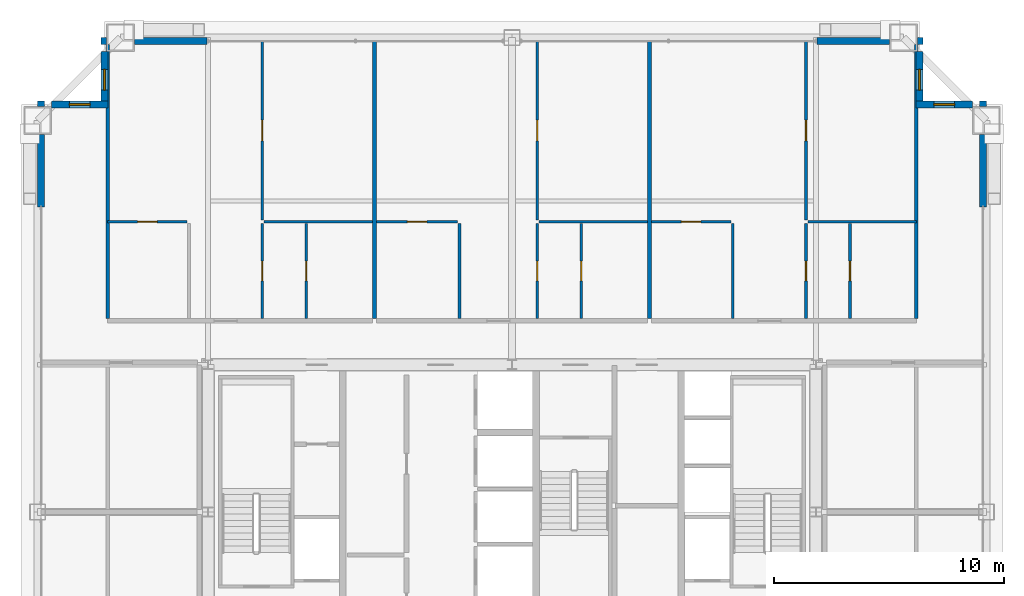
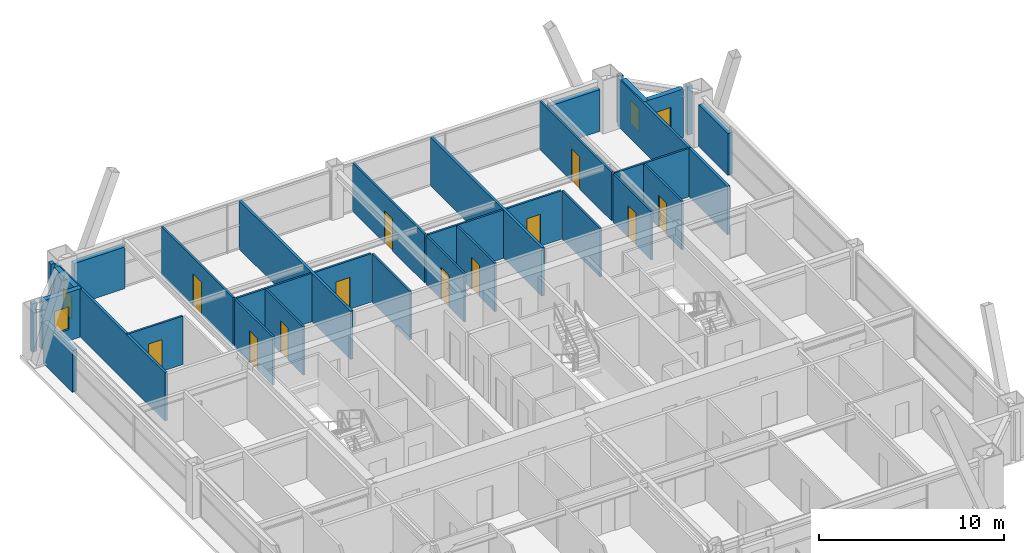
# One storey, part 34 of 36: 33 walls, 12 doors, 4 windows, 16 openings.
"""IFC4 building model written with IfcOpenShell, lengths in metres."""

import ifcopenshell
import ifcopenshell.guid

model = None  # the IFC model being written
_history = None  # IfcOwnerHistory: only IFC2X3 demands one
_inside = {}  # id of a spatial element -> (the spatial element, [elements in it])
_under = {}  # id of a project, library or spatial element -> (it, [spatial elements below it])
_declared = {}  # id of a project -> (the project, [libraries it declares])
_typed = {}  # id of a type object -> (the type object, [elements of that type])
_made_of = {}  # id of a material, layer set ... -> (it, [elements and type objects made of it])


def new_model(schema):
    """Start an empty IFC model of exactly this schema.

    Asked for "IFC4X3", IfcOpenShell would pick the latest addendum, in which some entities
    have other attributes; the version numbers below select the first issue.
    IFC2X3 requires an IfcOwnerHistory on every rooted entity: one is made here for all.
    """
    global model, _history
    if schema == "IFC4X3":
        model = ifcopenshell.file(schema_version=(4, 3, 0, 0))
    else:
        model = ifcopenshell.file(schema=schema)
    _inside.clear()
    _under.clear()
    _declared.clear()
    _typed.clear()
    _made_of.clear()
    _history = None
    if model.schema == "IFC2X3":
        org = make("IfcOrganization", Name="unknown")
        user = make(
            "IfcPersonAndOrganization",
            ThePerson=make("IfcPerson", FamilyName="unknown"),
            TheOrganization=org,
        )
        app = make(
            "IfcApplication",
            ApplicationDeveloper=org,
            Version="unknown",
            ApplicationFullName="unknown",
            ApplicationIdentifier="unknown",
        )
        _history = make(
            "IfcOwnerHistory",
            OwningUser=user,
            OwningApplication=app,
            ChangeAction="ADDED",
            CreationDate=0,
        )
    return model


def make(cls, **values):
    """One entity of the class cls with the attributes given. An attribute that is None is left unset."""
    return model.create_entity(
        cls, **{name: value for name, value in values.items() if value is not None}
    )


def rooted(cls, **values):
    """An entity with a GlobalId (a new one), such as an element, a storey or a relation."""
    return make(cls, GlobalId=ifcopenshell.guid.new(), OwnerHistory=_history, **values)


def si_unit(unit_type, name, prefix=None):
    """IfcSIUnit, for example si_unit("LENGTHUNIT", "METRE", prefix="MILLI")."""
    return make("IfcSIUnit", UnitType=unit_type, Prefix=prefix, Name=name)


def assignment(units):
    """IfcUnitAssignment: the units of a project."""
    return None if units is None else make("IfcUnitAssignment", Units=units)


def point(xyz):
    """IfcCartesianPoint."""
    return None if xyz is None else make("IfcCartesianPoint", Coordinates=xyz)


def direction(xyz):
    """IfcDirection."""
    return None if xyz is None else make("IfcDirection", DirectionRatios=xyz)


def frame(location, z_axis=None, x_axis=None):
    """IfcAxis2Placement3D, a coordinate frame: its origin and axes. An axis left out is left unset."""
    return make(
        "IfcAxis2Placement3D",
        Location=point(location),
        Axis=direction(z_axis),
        RefDirection=direction(x_axis),
    )


def frame_2d(location, x_axis=None):
    """IfcAxis2Placement2D, a coordinate frame in the plane: its origin and x axis."""
    return make(
        "IfcAxis2Placement2D", Location=point(location), RefDirection=direction(x_axis)
    )


def origin():
    """The frame at (0, 0, 0) with its axes left unset."""
    return frame((0.0, 0.0, 0.0))


def place(relative_to, where):
    """IfcLocalPlacement: puts the frame where relative to a parent placement (None: the world)."""
    return make(
        "IfcLocalPlacement", PlacementRelTo=relative_to, RelativePlacement=where
    )


def context(
    kind, dimensions, precision=None, world=None, true_north=None, identifier=None
):
    """IfcGeometricRepresentationContext, for example the 3D "Model" context."""
    return make(
        "IfcGeometricRepresentationContext",
        ContextIdentifier=identifier,
        ContextType=kind,
        CoordinateSpaceDimension=dimensions,
        Precision=precision,
        WorldCoordinateSystem=world,
        TrueNorth=true_north,
    )


def subcontext(parent, identifier, kind, view, scale=None):
    """IfcGeometricRepresentationSubContext, for example "Body" below "Model"."""
    return make(
        "IfcGeometricRepresentationSubContext",
        ContextIdentifier=identifier,
        ContextType=kind,
        ParentContext=parent,
        TargetScale=scale,
        TargetView=view,
    )


def project(units=None, contexts=None):
    """IfcProject with its units and contexts."""
    return rooted(
        "IfcProject",
        Name="project",
        RepresentationContexts=contexts,
        UnitsInContext=assignment(units),
    )


def spatial(cls, under=None, at=None, **own):
    """A site, building, storey or space (cls), placed at a placement, below another one or the project."""
    s = rooted(cls, ObjectPlacement=at, **own)
    if under is not None:
        _under.setdefault(under.id(), (under, []))[1].append(s)
    return s


def profile(cls, at=None, kind="AREA", **sizes):
    """A parametric profile (cls). Its sizes go by their IFC names, for example OverallWidth=200.0."""
    return make(cls, ProfileType=kind, Position=at, **sizes)


def rectangle(**sizes):
    """IfcRectangleProfileDef."""
    return profile("IfcRectangleProfileDef", **sizes)


def extrude(swept, where, along, depth):
    """IfcExtrudedAreaSolid: the profile swept, set in the frame where, extruded along a direction by depth."""
    return make(
        "IfcExtrudedAreaSolid",
        SweptArea=swept,
        Position=where,
        ExtrudedDirection=direction(along),
        Depth=depth,
    )


def shape(context_of_items, identifier, shape_type, items):
    """IfcShapeRepresentation: the items that make up one representation, for example the "Body"."""
    return make(
        "IfcShapeRepresentation",
        ContextOfItems=context_of_items,
        RepresentationIdentifier=identifier,
        RepresentationType=shape_type,
        Items=items,
    )


def source(mapping_origin, context_of_items, identifier, shape_type, items):
    """IfcRepresentationMap: a shape defined once, which mapped items show again and again."""
    return make(
        "IfcRepresentationMap",
        MappingOrigin=mapping_origin,
        MappedRepresentation=shape(context_of_items, identifier, shape_type, items),
    )


def transform(
    local_origin,
    x_axis=None,
    y_axis=None,
    z_axis=None,
    scale=None,
    scale2=None,
    scale3=None,
    uniform=True,
):
    """IfcCartesianTransformationOperator3D, or its non-uniform kind. x_axis, y_axis, z_axis: its Axis1, 2, 3."""
    if uniform:
        return make(
            "IfcCartesianTransformationOperator3D",
            Axis1=direction(x_axis),
            Axis2=direction(y_axis),
            LocalOrigin=point(local_origin),
            Scale=scale,
            Axis3=direction(z_axis),
        )
    return make(
        "IfcCartesianTransformationOperator3DnonUniform",
        Axis1=direction(x_axis),
        Axis2=direction(y_axis),
        LocalOrigin=point(local_origin),
        Scale=scale,
        Axis3=direction(z_axis),
        Scale2=scale2,
        Scale3=scale3,
    )


def mapped(mapping_source, mapping_target):
    """IfcMappedItem: shows the shape of a source again, moved by a transform."""
    return make(
        "IfcMappedItem", MappingSource=mapping_source, MappingTarget=mapping_target
    )


def material(Name=None, Category=None):
    """IfcMaterial."""
    return make("IfcMaterial", Name=Name, Category=Category)


def layer(
    of_material, thickness, ventilated=None, Name=None, Category=None, Priority=None
):
    """IfcMaterialLayer: one layer of a wall or slab, of a material (None: an air gap)."""
    return make(
        "IfcMaterialLayer",
        Material=of_material,
        LayerThickness=thickness,
        IsVentilated=ventilated,
        Name=Name,
        Category=Category,
        Priority=Priority,
    )


def layer_set(layers, Name=None):
    """IfcMaterialLayerSet."""
    return make("IfcMaterialLayerSet", MaterialLayers=layers, LayerSetName=Name)


def made_of(thing, what):
    """Note that an element or type object is made of a material, layer set ...; save() writes the relation."""
    if what is not None:
        _made_of.setdefault(what.id(), (what, []))[1].append(thing)
    return thing


def type_object(cls, material=None, **own):
    """A type object (cls), such as IfcWallType, which elements share."""
    return made_of(rooted(cls, **own), material)


def element(
    cls,
    number,
    at=None,
    inside=None,
    cuts=None,
    type_object=None,
    material=None,
    context=None,
    identifier="Body",
    shape_type=None,
    held_by="IfcProductDefinitionShape",
    body=None,
    shapes=None,
    **own,
):
    """One element of the class cls, such as IfcWall. Its Tag is "e" and its number.

    at: its placement. inside: the storey or other place that contains it. cuts: it is an
    opening in that element (IfcRelVoidsElement). A single representation is given by context,
    identifier, shape_type and body (its items); several are given by shapes. held_by: the class
    of the entity that holds the representations. save() writes the other relations.
    """
    e = rooted(cls, Tag="e%d" % number, ObjectPlacement=at, **own)
    if body is not None:
        shapes = [shape(context, identifier, shape_type, body)]
    if shapes is not None:
        e.Representation = make(held_by, Representations=shapes)
    if inside is not None:
        _inside.setdefault(inside.id(), (inside, []))[1].append(e)
    if cuts is not None:
        rooted(
            "IfcRelVoidsElement", RelatingBuildingElement=cuts, RelatedOpeningElement=e
        )
    if type_object is not None:
        _typed.setdefault(type_object.id(), (type_object, []))[1].append(e)
    return made_of(e, material)


def fill(opening, filler):
    """IfcRelFillsElement: the door or window that sits in an opening."""
    return rooted(
        "IfcRelFillsElement",
        RelatingOpeningElement=opening,
        RelatedBuildingElement=filler,
    )


def aggregate(whole, parts):
    """IfcRelAggregates: a whole, such as a stair, and the parts it consists of."""
    return rooted("IfcRelAggregates", RelatingObject=whole, RelatedObjects=parts)


def save(model, path):
    """Write the relations noted so far, then the file.

    IfcRelAggregates (storeys below a building ...), IfcRelContainedInSpatialStructure (elements
    in a storey), IfcRelDefinesByType, IfcRelAssociatesMaterial and IfcRelDeclares: one each for
    every whole, place, type object, material and project.
    """
    for whole, parts in _under.values():
        aggregate(whole, parts)
    for where, things in _inside.values():
        rooted(
            "IfcRelContainedInSpatialStructure",
            RelatedElements=things,
            RelatingStructure=where,
        )
    for kind, things in _typed.values():
        rooted("IfcRelDefinesByType", RelatedObjects=things, RelatingType=kind)
    for what, things in _made_of.values():
        rooted("IfcRelAssociatesMaterial", RelatedObjects=things, RelatingMaterial=what)
    for by, libraries in _declared.values():
        rooted("IfcRelDeclares", RelatingContext=by, RelatedDefinitions=libraries)
    model.write(path)


model = new_model("IFC4")

# Units and contexts
model_context = context("Model", 3, precision=1e-05, world=origin(), true_north=direction((0.0, 1.0)))
body_context = subcontext(model_context, "Body", "Model", "MODEL_VIEW")
ifc_project = project(units=[si_unit("LENGTHUNIT", "METRE"), si_unit("AREAUNIT", "SQUARE_METRE"), si_unit("VOLUMEUNIT", "CUBIC_METRE"), si_unit("PLANEANGLEUNIT", "RADIAN"), si_unit("MASSUNIT", "GRAM", prefix="KILO"), si_unit("THERMODYNAMICTEMPERATUREUNIT", "KELVIN"), si_unit("POWERUNIT", "WATT")], contexts=[model_context])

# Site, building, storey
site_placement = place(None, origin())
site = spatial("IfcSite", under=ifc_project, at=site_placement, CompositionType="ELEMENT")
building_placement = place(site_placement, origin())
building = spatial("IfcBuilding", under=site, at=building_placement, Name="Yuzanri Waterfront Tower", CompositionType="ELEMENT")
storey_placement = place(building_placement, frame((0.0, 0.0, 255.60009765625)))
storey = spatial("IfcBuildingStorey", under=building, at=storey_placement, Name="L68", CompositionType="ELEMENT", Elevation=255.60009765625)

# Wall, opening, door
ifc_material_1 = material(Name="Moisture-Resistant Gypsum Stud Wall", Category="gypsum")
ifc_layer_1 = layer(ifc_material_1, 0.1201171875)
ifc_layer_set_1 = layer_set([ifc_layer_1], Name="Moisture-Resistant Gypsum Stud Wall")
wall_type_1 = type_object("IfcWallType", Name="Bathroom and Kitchen Wet Partition 120", PredefinedType="PARTITIONING", material=ifc_layer_set_1)
wall_1_placement = place(storey_placement, frame((19.43994140625, 38.39990234375, 0.0), z_axis=(0.0, 0.0, 1.0), x_axis=(1.0, 0.0, 0.0)))
wall_1 = element("IfcWall", 1, at=wall_1_placement, inside=storey, type_object=wall_type_1, Name="L68 Partition UW-L68-RN1-SUB-1-N", PredefinedType="PARTITIONING", context=body_context, shape_type="SweptSolid", body=[
    extrude(rectangle(XDim=3.453125, YDim=0.1201171875, at=frame_2d((1.7265625, 0.0))), origin(), (0.0, 0.0, 1.0), 3.199951171875),
])
opening_1_placement = place(wall_1_placement, frame((1.301513671875, 0.0, 0.0)))
opening_1 = element("IfcOpeningElement", 2, at=opening_1_placement, cuts=wall_1, Name="Opening ID-0850", PredefinedType="OPENING", context=body_context, shape_type="SweptSolid", body=[
    extrude(rectangle(XDim=0.85009765625, YDim=2.10009765625, at=frame_2d((0.425048828125, 1.050048828125))), frame((0.0, 0.074951171875, 0.0), z_axis=(0.0, -1.0, 0.0), x_axis=(1.0, 0.0, 0.0)), (0.0, 0.0, 1.0), 0.14990234375),
])
ifc_material_2 = material(Name="Moisture-Resistant Lacquered Timber", Category="wood")
door_type_1 = type_object("IfcDoorType", Name="En-Suite Bathroom and Kitchen Swing Door 850x2100", OperationType="NOTDEFINED", PredefinedType="DOOR", material=ifc_material_2)
shared_shape_1 = source(origin(), body_context, "Body", "SweptSolid", [
    extrude(rectangle(XDim=0.85009765625, YDim=2.10009765625, at=frame_2d((0.425048828125, 1.050048828125))), frame((0.0, 0.02490234375, 0.0), z_axis=(0.0, -1.0, 0.0), x_axis=(1.0, 0.0, 0.0)), (0.0, 0.0, 1.0), 0.050048828125),
])
door_1_placement = place(opening_1_placement, origin())
door_1 = element("IfcDoor", 3, at=door_1_placement, inside=storey, type_object=door_type_1, Name="L68 Suite Interior Room Door", OperationType="SINGLE_SWING_LEFT", OverallHeight=2.10009765625, OverallWidth=0.85009765625, PredefinedType="DOOR", context=body_context, shape_type="MappedRepresentation", body=[
    mapped(shared_shape_1, transform((0.0, 0.0, 0.0), scale=1.0)),
])
fill(opening_1, door_1)

wall_2_placement = place(storey_placement, frame((28.070068359375, 34.2099609375, 0.0), z_axis=(0.0, 0.0, 1.0), x_axis=(0.0, 1.0, 0.0)))
wall_2 = element("IfcWall", 4, at=wall_2_placement, inside=storey, type_object=wall_type_1, Name="L68 Partition UW-L68-RN1-SUB-2-W", PredefinedType="PARTITIONING", context=body_context, shape_type="SweptSolid", body=[
    extrude(rectangle(XDim=4.110107421875, YDim=0.1201171875, at=frame_2d((2.05517578125, 0.0))), origin(), (0.0, 0.0, 1.0), 3.199951171875),
])
opening_2_placement = place(wall_2_placement, frame((1.6298828125, 0.0, 0.0)))
opening_2 = element("IfcOpeningElement", 5, at=opening_2_placement, cuts=wall_2, Name="Opening ID-0850", PredefinedType="OPENING", context=body_context, shape_type="SweptSolid", body=[
    extrude(rectangle(XDim=0.85009765625, YDim=2.10009765625, at=frame_2d((0.425048828125, 1.050048828125))), frame((0.0, 0.074951171875, 0.0), z_axis=(0.0, -1.0, 0.0), x_axis=(1.0, 0.0, 0.0)), (0.0, 0.0, 1.0), 0.14990234375),
])
door_2_placement = place(opening_2_placement, origin())
door_2 = element("IfcDoor", 6, at=door_2_placement, inside=storey, type_object=door_type_1, Name="L68 Suite Interior Room Door", OperationType="SINGLE_SWING_RIGHT", OverallHeight=2.10009765625, OverallWidth=0.85009765625, PredefinedType="DOOR", context=body_context, shape_type="MappedRepresentation", body=[
    mapped(shared_shape_1, transform((0.0, 0.0, 0.0), scale=1.0)),
])
fill(opening_2, door_2)

wall_3_placement = place(storey_placement, frame((26.157958984375, 38.47998046875, 0.0), z_axis=(0.0, 0.0, 1.0), x_axis=(0.0, 1.0, 0.0)))
wall_3 = element("IfcWall", 7, at=wall_3_placement, inside=storey, type_object=wall_type_1, Name="L68 Partition UW-L68-RN1-SUB-3-W", PredefinedType="PARTITIONING", context=body_context, shape_type="SweptSolid", body=[
    extrude(rectangle(XDim=7.77001953125, YDim=0.1201171875, at=frame_2d((3.885009765625, 0.0))), origin(), (0.0, 0.0, 1.0), 3.199951171875),
])
opening_3_placement = place(wall_3_placement, frame((3.43505859375, 0.0, 0.0)))
opening_3 = element("IfcOpeningElement", 8, at=opening_3_placement, cuts=wall_3, Name="Opening ID-0900", PredefinedType="OPENING", context=body_context, shape_type="SweptSolid", body=[
    extrude(rectangle(XDim=0.89990234375, YDim=2.14990234375, at=frame_2d((0.449951171875, 1.074951171875))), frame((0.0, 0.074951171875, 0.0), z_axis=(0.0, -1.0, 0.0), x_axis=(1.0, 0.0, 0.0)), (0.0, 0.0, 1.0), 0.14990234375),
])
ifc_material_3 = material(Name="Stained Walnut Veneer Timber", Category="wood")
door_type_2 = type_object("IfcDoorType", Name="Bedroom and Study Interior Swing Door 900x2150", OperationType="NOTDEFINED", PredefinedType="DOOR", material=ifc_material_3)
shared_shape_2 = source(origin(), body_context, "Body", "SweptSolid", [
    extrude(rectangle(XDim=0.89990234375, YDim=2.14990234375, at=frame_2d((0.449951171875, 1.074951171875))), frame((0.0, 0.02490234375, 0.0), z_axis=(0.0, -1.0, 0.0), x_axis=(1.0, 0.0, 0.0)), (0.0, 0.0, 1.0), 0.050048828125),
])
door_3_placement = place(opening_3_placement, origin())
door_3 = element("IfcDoor", 9, at=door_3_placement, inside=storey, type_object=door_type_2, Name="L68 Suite Interior Room Door", OperationType="SINGLE_SWING_LEFT", OverallHeight=2.14990234375, OverallWidth=0.89990234375, PredefinedType="DOOR", context=body_context, shape_type="MappedRepresentation", body=[
    mapped(shared_shape_2, transform((0.0, 0.0, 0.0), scale=1.0)),
])
fill(opening_3, door_3)

wall_4_placement = place(storey_placement, frame((26.157958984375, 34.2099609375, 0.0), z_axis=(0.0, 0.0, 1.0), x_axis=(0.0, 1.0, 0.0)))
wall_4 = element("IfcWall", 10, at=wall_4_placement, inside=storey, type_object=wall_type_1, Name="L68 Partition UW-L68-RN1-SUB-4-W", PredefinedType="PARTITIONING", context=body_context, shape_type="SweptSolid", body=[
    extrude(rectangle(XDim=4.110107421875, YDim=0.1201171875, at=frame_2d((2.05517578125, 0.0))), origin(), (0.0, 0.0, 1.0), 3.199951171875),
])
opening_4_placement = place(wall_4_placement, frame((1.6298828125, 0.0, 0.0)))
opening_4 = element("IfcOpeningElement", 11, at=opening_4_placement, cuts=wall_4, Name="Opening ID-0850", PredefinedType="OPENING", context=body_context, shape_type="SweptSolid", body=[
    extrude(rectangle(XDim=0.85009765625, YDim=2.10009765625, at=frame_2d((0.425048828125, 1.050048828125))), frame((0.0, 0.074951171875, 0.0), z_axis=(0.0, -1.0, 0.0), x_axis=(1.0, 0.0, 0.0)), (0.0, 0.0, 1.0), 0.14990234375),
])
door_4_placement = place(opening_4_placement, origin())
door_4 = element("IfcDoor", 12, at=door_4_placement, inside=storey, type_object=door_type_1, Name="L68 Suite Interior Room Door", OperationType="SINGLE_SWING_RIGHT", OverallHeight=2.10009765625, OverallWidth=0.85009765625, PredefinedType="DOOR", context=body_context, shape_type="MappedRepresentation", body=[
    mapped(shared_shape_1, transform((0.0, 0.0, 0.0), scale=1.0)),
])
fill(opening_4, door_4)

wall_5_placement = place(storey_placement, frame((31.110107421875, 38.39990234375, 0.0), z_axis=(0.0, 0.0, 1.0), x_axis=(1.0, 0.0, 0.0)))
wall_5 = element("IfcWall", 13, at=wall_5_placement, inside=storey, type_object=wall_type_1, Name="L68 Partition UW-L68-RN2-SUB-1-N", PredefinedType="PARTITIONING", context=body_context, shape_type="SweptSolid", body=[
    extrude(rectangle(XDim=3.533935546875, YDim=0.1201171875, at=frame_2d((1.76708984375, 0.0))), origin(), (0.0, 0.0, 1.0), 3.199951171875),
])
opening_5_placement = place(wall_5_placement, frame((1.342041015625, 0.0, 0.0)))
opening_5 = element("IfcOpeningElement", 14, at=opening_5_placement, cuts=wall_5, Name="Opening ID-0850", PredefinedType="OPENING", context=body_context, shape_type="SweptSolid", body=[
    extrude(rectangle(XDim=0.85009765625, YDim=2.10009765625, at=frame_2d((0.425048828125, 1.050048828125))), frame((0.0, 0.074951171875, 0.0), z_axis=(0.0, -1.0, 0.0), x_axis=(1.0, 0.0, 0.0)), (0.0, 0.0, 1.0), 0.14990234375),
])
door_5_placement = place(opening_5_placement, origin())
door_5 = element("IfcDoor", 15, at=door_5_placement, inside=storey, type_object=door_type_1, Name="L68 Suite Interior Room Door", OperationType="SINGLE_SWING_RIGHT", OverallHeight=2.10009765625, OverallWidth=0.85009765625, PredefinedType="DOOR", context=body_context, shape_type="MappedRepresentation", body=[
    mapped(shared_shape_1, transform((0.0, 0.0, 0.0), scale=1.0)),
])
fill(opening_5, door_5)

wall_6_placement = place(storey_placement, frame((40.010009765625, 34.2099609375, 0.0), z_axis=(0.0, 0.0, 1.0), x_axis=(0.0, 1.0, 0.0)))
wall_6 = element("IfcWall", 16, at=wall_6_placement, inside=storey, type_object=wall_type_1, Name="L68 Partition UW-L68-RN2-SUB-2-W", PredefinedType="PARTITIONING", context=body_context, shape_type="SweptSolid", body=[
    extrude(rectangle(XDim=4.110107421875, YDim=0.1201171875, at=frame_2d((2.05517578125, 0.0))), origin(), (0.0, 0.0, 1.0), 3.199951171875),
])
opening_6_placement = place(wall_6_placement, frame((1.6298828125, 0.0, 0.0)))
opening_6 = element("IfcOpeningElement", 17, at=opening_6_placement, cuts=wall_6, Name="Opening ID-0850", PredefinedType="OPENING", context=body_context, shape_type="SweptSolid", body=[
    extrude(rectangle(XDim=0.85009765625, YDim=2.10009765625, at=frame_2d((0.425048828125, 1.050048828125))), frame((0.0, 0.074951171875, 0.0), z_axis=(0.0, -1.0, 0.0), x_axis=(1.0, 0.0, 0.0)), (0.0, 0.0, 1.0), 0.14990234375),
])
door_6_placement = place(opening_6_placement, origin())
door_6 = element("IfcDoor", 18, at=door_6_placement, inside=storey, type_object=door_type_1, Name="L68 Suite Interior Room Door", OperationType="SINGLE_SWING_LEFT", OverallHeight=2.10009765625, OverallWidth=0.85009765625, PredefinedType="DOOR", context=body_context, shape_type="MappedRepresentation", body=[
    mapped(shared_shape_1, transform((0.0, 0.0, 0.0), scale=1.0)),
])
fill(opening_6, door_6)

wall_7_placement = place(storey_placement, frame((38.097900390625, 38.47998046875, 0.0), z_axis=(0.0, 0.0, 1.0), x_axis=(0.0, 1.0, 0.0)))
wall_7 = element("IfcWall", 19, at=wall_7_placement, inside=storey, type_object=wall_type_1, Name="L68 Partition UW-L68-RN2-SUB-3-W", PredefinedType="PARTITIONING", context=body_context, shape_type="SweptSolid", body=[
    extrude(rectangle(XDim=7.77001953125, YDim=0.1201171875, at=frame_2d((3.885009765625, 0.0))), origin(), (0.0, 0.0, 1.0), 3.199951171875),
])
opening_7_placement = place(wall_7_placement, frame((3.43505859375, 0.0, 0.0)))
opening_7 = element("IfcOpeningElement", 20, at=opening_7_placement, cuts=wall_7, Name="Opening ID-0900", PredefinedType="OPENING", context=body_context, shape_type="SweptSolid", body=[
    extrude(rectangle(XDim=0.89990234375, YDim=2.14990234375, at=frame_2d((0.449951171875, 1.074951171875))), frame((0.0, 0.074951171875, 0.0), z_axis=(0.0, -1.0, 0.0), x_axis=(1.0, 0.0, 0.0)), (0.0, 0.0, 1.0), 0.14990234375),
])
door_7_placement = place(opening_7_placement, origin())
door_7 = element("IfcDoor", 21, at=door_7_placement, inside=storey, type_object=door_type_2, Name="L68 Suite Interior Room Door", OperationType="SINGLE_SWING_RIGHT", OverallHeight=2.14990234375, OverallWidth=0.89990234375, PredefinedType="DOOR", context=body_context, shape_type="MappedRepresentation", body=[
    mapped(shared_shape_2, transform((0.0, 0.0, 0.0), scale=1.0)),
])
fill(opening_7, door_7)

wall_8_placement = place(storey_placement, frame((38.097900390625, 34.2099609375, 0.0), z_axis=(0.0, 0.0, 1.0), x_axis=(0.0, 1.0, 0.0)))
wall_8 = element("IfcWall", 22, at=wall_8_placement, inside=storey, type_object=wall_type_1, Name="L68 Partition UW-L68-RN2-SUB-4-W", PredefinedType="PARTITIONING", context=body_context, shape_type="SweptSolid", body=[
    extrude(rectangle(XDim=4.110107421875, YDim=0.1201171875, at=frame_2d((2.05517578125, 0.0))), origin(), (0.0, 0.0, 1.0), 3.199951171875),
])
opening_8_placement = place(wall_8_placement, frame((1.6298828125, 0.0, 0.0)))
opening_8 = element("IfcOpeningElement", 23, at=opening_8_placement, cuts=wall_8, Name="Opening ID-0850", PredefinedType="OPENING", context=body_context, shape_type="SweptSolid", body=[
    extrude(rectangle(XDim=0.85009765625, YDim=2.10009765625, at=frame_2d((0.425048828125, 1.050048828125))), frame((0.0, 0.074951171875, 0.0), z_axis=(0.0, -1.0, 0.0), x_axis=(1.0, 0.0, 0.0)), (0.0, 0.0, 1.0), 0.14990234375),
])
door_8_placement = place(opening_8_placement, origin())
door_8 = element("IfcDoor", 24, at=door_8_placement, inside=storey, type_object=door_type_1, Name="L68 Suite Interior Room Door", OperationType="SINGLE_SWING_LEFT", OverallHeight=2.10009765625, OverallWidth=0.85009765625, PredefinedType="DOOR", context=body_context, shape_type="MappedRepresentation", body=[
    mapped(shared_shape_1, transform((0.0, 0.0, 0.0), scale=1.0)),
])
fill(opening_8, door_8)

wall_9_placement = place(storey_placement, frame((43.050048828125, 38.39990234375, 0.0), z_axis=(0.0, 0.0, 1.0), x_axis=(1.0, 0.0, 0.0)))
wall_9 = element("IfcWall", 25, at=wall_9_placement, inside=storey, type_object=wall_type_1, Name="L68 Partition UW-L68-RN3-SUB-1-N", PredefinedType="PARTITIONING", context=body_context, shape_type="SweptSolid", body=[
    extrude(rectangle(XDim=3.452880859375, YDim=0.1201171875, at=frame_2d((1.7265625, 0.0))), origin(), (0.0, 0.0, 1.0), 3.199951171875),
])
opening_9_placement = place(wall_9_placement, frame((1.301513671875, 0.0, 0.0)))
opening_9 = element("IfcOpeningElement", 26, at=opening_9_placement, cuts=wall_9, Name="Opening ID-0850", PredefinedType="OPENING", context=body_context, shape_type="SweptSolid", body=[
    extrude(rectangle(XDim=0.85009765625, YDim=2.10009765625, at=frame_2d((0.425048828125, 1.050048828125))), frame((0.0, 0.074951171875, 0.0), z_axis=(0.0, -1.0, 0.0), x_axis=(1.0, 0.0, 0.0)), (0.0, 0.0, 1.0), 0.14990234375),
])
door_9_placement = place(opening_9_placement, origin())
door_9 = element("IfcDoor", 27, at=door_9_placement, inside=storey, type_object=door_type_1, Name="L68 Suite Interior Room Door", OperationType="SINGLE_SWING_LEFT", OverallHeight=2.10009765625, OverallWidth=0.85009765625, PredefinedType="DOOR", context=body_context, shape_type="MappedRepresentation", body=[
    mapped(shared_shape_1, transform((0.0, 0.0, 0.0), scale=1.0)),
])
fill(opening_9, door_9)

wall_10_placement = place(storey_placement, frame((51.679931640625, 34.2099609375, 0.0), z_axis=(0.0, 0.0, 1.0), x_axis=(0.0, 1.0, 0.0)))
wall_10 = element("IfcWall", 28, at=wall_10_placement, inside=storey, type_object=wall_type_1, Name="L68 Partition UW-L68-RN3-SUB-2-W", PredefinedType="PARTITIONING", context=body_context, shape_type="SweptSolid", body=[
    extrude(rectangle(XDim=4.110107421875, YDim=0.1201171875, at=frame_2d((2.05517578125, 0.0))), origin(), (0.0, 0.0, 1.0), 3.199951171875),
])
opening_10_placement = place(wall_10_placement, frame((1.6298828125, 0.0, 0.0)))
opening_10 = element("IfcOpeningElement", 29, at=opening_10_placement, cuts=wall_10, Name="Opening ID-0850", PredefinedType="OPENING", context=body_context, shape_type="SweptSolid", body=[
    extrude(rectangle(XDim=0.85009765625, YDim=2.10009765625, at=frame_2d((0.425048828125, 1.050048828125))), frame((0.0, 0.074951171875, 0.0), z_axis=(0.0, -1.0, 0.0), x_axis=(1.0, 0.0, 0.0)), (0.0, 0.0, 1.0), 0.14990234375),
])
door_10_placement = place(opening_10_placement, origin())
door_10 = element("IfcDoor", 30, at=door_10_placement, inside=storey, type_object=door_type_1, Name="L68 Suite Interior Room Door", OperationType="SINGLE_SWING_RIGHT", OverallHeight=2.10009765625, OverallWidth=0.85009765625, PredefinedType="DOOR", context=body_context, shape_type="MappedRepresentation", body=[
    mapped(shared_shape_1, transform((0.0, 0.0, 0.0), scale=1.0)),
])
fill(opening_10, door_10)

wall_11_placement = place(storey_placement, frame((49.76806640625, 38.47998046875, 0.0), z_axis=(0.0, 0.0, 1.0), x_axis=(0.0, 1.0, 0.0)))
wall_11 = element("IfcWall", 31, at=wall_11_placement, inside=storey, type_object=wall_type_1, Name="L68 Partition UW-L68-RN3-SUB-3-W", PredefinedType="PARTITIONING", context=body_context, shape_type="SweptSolid", body=[
    extrude(rectangle(XDim=7.77001953125, YDim=0.1201171875, at=frame_2d((3.885009765625, 0.0))), origin(), (0.0, 0.0, 1.0), 3.199951171875),
])
opening_11_placement = place(wall_11_placement, frame((3.43505859375, 0.0, 0.0)))
opening_11 = element("IfcOpeningElement", 32, at=opening_11_placement, cuts=wall_11, Name="Opening ID-0900", PredefinedType="OPENING", context=body_context, shape_type="SweptSolid", body=[
    extrude(rectangle(XDim=0.89990234375, YDim=2.14990234375, at=frame_2d((0.449951171875, 1.074951171875))), frame((0.0, 0.074951171875, 0.0), z_axis=(0.0, -1.0, 0.0), x_axis=(1.0, 0.0, 0.0)), (0.0, 0.0, 1.0), 0.14990234375),
])
door_11_placement = place(opening_11_placement, origin())
door_11 = element("IfcDoor", 33, at=door_11_placement, inside=storey, type_object=door_type_2, Name="L68 Suite Interior Room Door", OperationType="SINGLE_SWING_LEFT", OverallHeight=2.14990234375, OverallWidth=0.89990234375, PredefinedType="DOOR", context=body_context, shape_type="MappedRepresentation", body=[
    mapped(shared_shape_2, transform((0.0, 0.0, 0.0), scale=1.0)),
])
fill(opening_11, door_11)

wall_12_placement = place(storey_placement, frame((49.76806640625, 34.2099609375, 0.0), z_axis=(0.0, 0.0, 1.0), x_axis=(0.0, 1.0, 0.0)))
wall_12 = element("IfcWall", 34, at=wall_12_placement, inside=storey, type_object=wall_type_1, Name="L68 Partition UW-L68-RN3-SUB-4-W", PredefinedType="PARTITIONING", context=body_context, shape_type="SweptSolid", body=[
    extrude(rectangle(XDim=4.110107421875, YDim=0.1201171875, at=frame_2d((2.05517578125, 0.0))), origin(), (0.0, 0.0, 1.0), 3.199951171875),
])
opening_12_placement = place(wall_12_placement, frame((1.6298828125, 0.0, 0.0)))
opening_12 = element("IfcOpeningElement", 35, at=opening_12_placement, cuts=wall_12, Name="Opening ID-0850", PredefinedType="OPENING", context=body_context, shape_type="SweptSolid", body=[
    extrude(rectangle(XDim=0.85009765625, YDim=2.10009765625, at=frame_2d((0.425048828125, 1.050048828125))), frame((0.0, 0.074951171875, 0.0), z_axis=(0.0, -1.0, 0.0), x_axis=(1.0, 0.0, 0.0)), (0.0, 0.0, 1.0), 0.14990234375),
])
door_12_placement = place(opening_12_placement, origin())
door_12 = element("IfcDoor", 36, at=door_12_placement, inside=storey, type_object=door_type_1, Name="L68 Suite Interior Room Door", OperationType="SINGLE_SWING_RIGHT", OverallHeight=2.10009765625, OverallWidth=0.85009765625, PredefinedType="DOOR", context=body_context, shape_type="MappedRepresentation", body=[
    mapped(shared_shape_1, transform((0.0, 0.0, 0.0), scale=1.0)),
])
fill(opening_12, door_12)

# Wall, opening, window
ifc_material_4 = material(Name="Honed Chongqing Dark Basalt Stone", Category="masonry")
ifc_layer_2 = layer(ifc_material_4, 0.300048828125)
ifc_layer_set_2 = layer_set([ifc_layer_2], Name="Honed Chongqing Dark Basalt Stone")
wall_type_2 = type_object("IfcWallType", Name="Bronze Rainscreen Insulated Spandrel Portal Wall 300", PredefinedType="SOLIDWALL", material=ifc_layer_set_2)
wall_13_placement = place(storey_placement, frame((19.449951171875, 43.5, 0.0), z_axis=(0.0, 0.0, 1.0), x_axis=(-1.0, 0.0, 0.0)))
wall_13 = element("IfcWall", 37, at=wall_13_placement, inside=storey, type_object=wall_type_2, Name="L68 Notched Corner Masonry Wall NW-X", PredefinedType="SOLIDWALL", context=body_context, shape_type="SweptSolid", body=[
    extrude(rectangle(XDim=2.449951171875, YDim=0.300048828125, at=frame_2d((1.22509765625, 0.0))), origin(), (0.0, 0.0, 1.0), 3.199951171875),
])
opening_13_placement = place(wall_13_placement, frame((0.77490234375, 0.0, 0.75)))
opening_13 = element("IfcOpeningElement", 38, at=opening_13_placement, cuts=wall_13, Name="Opening WN-05", PredefinedType="OPENING", context=body_context, shape_type="SweptSolid", body=[
    extrude(rectangle(XDim=0.89990234375, YDim=1.5, at=frame_2d((0.449951171875, 0.75))), frame((0.0, 0.1650390625, 0.0), z_axis=(0.0, -1.0, 0.0), x_axis=(1.0, 0.0, 0.0)), (0.0, 0.0, 1.0), 0.329833984375),
])
ifc_material_5 = material(Name="Double-Silver Low-E Insulated Glass", Category="glass")
window_type = type_object("IfcWindowType", Name="Anodized Bronze Service and Stairwell Smoke-Vent Window 900x1500", PartitioningType="SINGLE_PANEL", PredefinedType="WINDOW", material=ifc_material_5)
shared_shape_3 = source(origin(), body_context, "Body", "SweptSolid", [
    extrude(rectangle(XDim=0.89990234375, YDim=1.5, at=frame_2d((0.449951171875, 0.75))), frame((0.0, 0.030029296875, 0.0), z_axis=(0.0, -1.0, 0.0), x_axis=(1.0, 0.0, 0.0)), (0.0, 0.0, 1.0), 0.06005859375),
])
window_1_placement = place(opening_13_placement, origin())
window_1 = element("IfcWindow", 39, at=window_1_placement, inside=storey, type_object=window_type, Name="L68 Notched Corner Window NW-X", OverallHeight=1.5, OverallWidth=0.89990234375, PartitioningType="SINGLE_PANEL", PredefinedType="WINDOW", context=body_context, shape_type="MappedRepresentation", body=[
    mapped(shared_shape_3, transform((0.0, 0.0, 0.0), scale=1.0)),
])
fill(opening_13, window_1)

wall_14_placement = place(storey_placement, frame((19.300048828125, 45.800048828125, 0.0), z_axis=(0.0, 0.0, 1.0), x_axis=(0.0, -1.0, 0.0)))
wall_14 = element("IfcWall", 40, at=wall_14_placement, inside=storey, type_object=wall_type_2, Name="L68 Notched Corner Masonry Wall NW-Y", PredefinedType="SOLIDWALL", context=body_context, shape_type="SweptSolid", body=[
    extrude(rectangle(XDim=2.449951171875, YDim=0.300048828125, at=frame_2d((1.22509765625, 0.0))), origin(), (0.0, 0.0, 1.0), 3.199951171875),
])
opening_14_placement = place(wall_14_placement, frame((0.77490234375, 0.0, 0.75)))
opening_14 = element("IfcOpeningElement", 41, at=opening_14_placement, cuts=wall_14, Name="Opening WN-05", PredefinedType="OPENING", context=body_context, shape_type="SweptSolid", body=[
    extrude(rectangle(XDim=0.89990234375, YDim=1.5, at=frame_2d((0.449951171875, 0.75))), frame((0.0, 0.1650390625, 0.0), z_axis=(0.0, -1.0, 0.0), x_axis=(1.0, 0.0, 0.0)), (0.0, 0.0, 1.0), 0.329833984375),
])
window_2_placement = place(opening_14_placement, origin())
window_2 = element("IfcWindow", 42, at=window_2_placement, inside=storey, type_object=window_type, Name="L68 Notched Corner Window NW-Y", OverallHeight=1.5, OverallWidth=0.89990234375, PartitioningType="SINGLE_PANEL", PredefinedType="WINDOW", context=body_context, shape_type="MappedRepresentation", body=[
    mapped(shared_shape_3, transform((0.0, 0.0, 0.0), scale=1.0)),
])
fill(opening_14, window_2)

wall_15_placement = place(storey_placement, frame((57.0, 43.5, 0.0), z_axis=(0.0, 0.0, 1.0), x_axis=(-1.0, 0.0, 0.0)))
wall_15 = element("IfcWall", 43, at=wall_15_placement, inside=storey, type_object=wall_type_2, Name="L68 Notched Corner Masonry Wall NE-X", PredefinedType="SOLIDWALL", context=body_context, shape_type="SweptSolid", body=[
    extrude(rectangle(XDim=2.449951171875, YDim=0.300048828125, at=frame_2d((1.22509765625, 0.0))), origin(), (0.0, 0.0, 1.0), 3.199951171875),
])
opening_15_placement = place(wall_15_placement, frame((0.77490234375, 0.0, 0.75)))
opening_15 = element("IfcOpeningElement", 44, at=opening_15_placement, cuts=wall_15, Name="Opening WN-05", PredefinedType="OPENING", context=body_context, shape_type="SweptSolid", body=[
    extrude(rectangle(XDim=0.89990234375, YDim=1.5, at=frame_2d((0.449951171875, 0.75))), frame((0.0, 0.1650390625, 0.0), z_axis=(0.0, -1.0, 0.0), x_axis=(1.0, 0.0, 0.0)), (0.0, 0.0, 1.0), 0.329833984375),
])
window_3_placement = place(opening_15_placement, origin())
window_3 = element("IfcWindow", 45, at=window_3_placement, inside=storey, type_object=window_type, Name="L68 Notched Corner Window NE-X", OverallHeight=1.5, OverallWidth=0.89990234375, PartitioningType="SINGLE_PANEL", PredefinedType="WINDOW", context=body_context, shape_type="MappedRepresentation", body=[
    mapped(shared_shape_3, transform((0.0, 0.0, 0.0), scale=1.0)),
])
fill(opening_15, window_3)

wall_16_placement = place(storey_placement, frame((54.699951171875, 43.35009765625, 0.0), z_axis=(0.0, 0.0, 1.0), x_axis=(0.0, 1.0, 0.0)))
wall_16 = element("IfcWall", 46, at=wall_16_placement, inside=storey, type_object=wall_type_2, Name="L68 Notched Corner Masonry Wall NE-Y", PredefinedType="SOLIDWALL", context=body_context, shape_type="SweptSolid", body=[
    extrude(rectangle(XDim=2.449951171875, YDim=0.300048828125, at=frame_2d((1.22509765625, 0.0))), origin(), (0.0, 0.0, 1.0), 3.199951171875),
])
opening_16_placement = place(wall_16_placement, frame((0.77490234375, 0.0, 0.75)))
opening_16 = element("IfcOpeningElement", 47, at=opening_16_placement, cuts=wall_16, Name="Opening WN-05", PredefinedType="OPENING", context=body_context, shape_type="SweptSolid", body=[
    extrude(rectangle(XDim=0.89990234375, YDim=1.5, at=frame_2d((0.449951171875, 0.75))), frame((0.0, 0.1650390625, 0.0), z_axis=(0.0, -1.0, 0.0), x_axis=(1.0, 0.0, 0.0)), (0.0, 0.0, 1.0), 0.329833984375),
])
window_4_placement = place(opening_16_placement, origin())
window_4 = element("IfcWindow", 48, at=window_4_placement, inside=storey, type_object=window_type, Name="L68 Notched Corner Window NE-Y", OverallHeight=1.5, OverallWidth=0.89990234375, PartitioningType="SINGLE_PANEL", PredefinedType="WINDOW", context=body_context, shape_type="MappedRepresentation", body=[
    mapped(shared_shape_3, transform((0.0, 0.0, 0.0), scale=1.0)),
])
fill(opening_16, window_4)

# Walls
shared_shape_4 = source(origin(), body_context, "Body", "SweptSolid", [
    extrude(rectangle(XDim=0.25, YDim=0.300048828125, at=frame_2d((0.125, 0.0))), origin(), (0.0, 0.0, 1.0), 3.199951171875),
])
for number, where, z_axis, x_axis, name in (
    (49, (19.14990234375, 46.25, 0.0), (0.0, 0.0, 1.0), (1.0, 0.0, 0.0), "L68 Corner Column Shoulder Return CNW"),
    (50, (54.60009765625, 46.25, 0.0), (0.0, 0.0, 1.0), (1.0, 0.0, 0.0), "L68 Corner Column Shoulder Return CNE"),
    (51, (16.550048828125, 43.39990234375, 0.0), (0.0, 0.0, 1.0), (0.0, 1.0, 0.0), "L68 Corner Column Shoulder Return CWN"),
    (52, (57.449951171875, 43.39990234375, 0.0), (0.0, 0.0, 1.0), (0.0, 1.0, 0.0), "L68 Corner Column Shoulder Return CEN"),
):
    element("IfcWall", number, at=place(storey_placement, frame(where, z_axis=z_axis, x_axis=x_axis)), inside=storey, type_object=wall_type_2, Name=name, PredefinedType="SOLIDWALL", context=body_context, shape_type="MappedRepresentation", body=[
        mapped(shared_shape_4, transform((0.0, 0.0, 0.0), scale=1.0)),
    ])
shared_shape_5 = source(origin(), body_context, "Body", "SweptSolid", [
    extrude(rectangle(XDim=3.14990234375, YDim=0.300048828125, at=frame_2d((1.574951171875, 0.0))), origin(), (0.0, 0.0, 1.0), 2.7548828125),
])
for number, where, z_axis, x_axis, name in (
    (53, (20.60009765625, 46.25, 0.0), (0.0, 0.0, 1.0), (1.0, 0.0, 0.0), "L68 N Left Braced Masonry Shoulder"),
    (54, (50.25, 46.25, 0.0), (0.0, 0.0, 1.0), (1.0, 0.0, 0.0), "L68 N Right Braced Masonry Shoulder"),
    (55, (16.550048828125, 39.050048828125, 0.0), (0.0, 0.0, 1.0), (0.0, 1.0, 0.0), "L68 W Right Braced Masonry Shoulder"),
    (56, (57.449951171875, 39.050048828125, 0.0), (0.0, 0.0, 1.0), (0.0, 1.0, 0.0), "L68 E Right Braced Masonry Shoulder"),
):
    element("IfcWall", number, at=place(storey_placement, frame(where, z_axis=z_axis, x_axis=x_axis)), inside=storey, type_object=wall_type_2, Name=name, PredefinedType="SOLIDWALL", context=body_context, shape_type="MappedRepresentation", body=[
        mapped(shared_shape_5, transform((0.0, 0.0, 0.0), scale=1.0)),
    ])
ifc_material_6 = material(Name="Gypsum Fireboard Acoustic Stud Wall", Category="gypsum")
ifc_layer_3 = layer(ifc_material_6, 0.159912109375)
ifc_layer_set_3 = layer_set([ifc_layer_3], Name="Gypsum Fireboard Acoustic Stud Wall")
wall_type_3 = type_object("IfcWallType", Name="Acoustic Suite Demising Partition 160", PredefinedType="PARTITIONING", material=ifc_layer_set_3)
shared_shape_6 = source(origin(), body_context, "Body", "SweptSolid", [
    extrude(rectangle(XDim=12.0400390625, YDim=0.159912109375, at=frame_2d((6.02001953125, 0.0))), origin(), (0.0, 0.0, 1.0), 3.199951171875),
])
for number, where, z_axis, x_axis, name in (
    (57, (31.030029296875, 34.2099609375, 0.0), (0.0, 0.0, 1.0), (0.0, 1.0, 0.0), "L68-RN1 Party Wall"),
    (58, (42.969970703125, 34.2099609375, 0.0), (0.0, 0.0, 1.0), (0.0, 1.0, 0.0), "L68-RN2 Party Wall"),
):
    element("IfcWall", number, at=place(storey_placement, frame(where, z_axis=z_axis, x_axis=x_axis)), inside=storey, type_object=wall_type_3, Name=name, PredefinedType="PARTITIONING", context=body_context, shape_type="MappedRepresentation", body=[
        mapped(shared_shape_6, transform((0.0, 0.0, 0.0), scale=1.0)),
    ])
shared_shape_7 = source(origin(), body_context, "Body", "SweptSolid", [
    extrude(rectangle(XDim=4.110107421875, YDim=0.1201171875, at=frame_2d((2.05517578125, 0.0))), origin(), (0.0, 0.0, 1.0), 3.199951171875),
])
for number, where, z_axis, x_axis, name in (
    (59, (34.72412109375, 34.2099609375, 0.0), (0.0, 0.0, 1.0), (0.0, 1.0, 0.0), "L68 Partition UW-L68-RN2-SUB-1-E"),
    (60, (46.5830078125, 34.2099609375, 0.0), (0.0, 0.0, 1.0), (0.0, 1.0, 0.0), "L68 Partition UW-L68-RN3-SUB-1-E"),
):
    element("IfcWall", number, at=place(storey_placement, frame(where, z_axis=z_axis, x_axis=x_axis)), inside=storey, type_object=wall_type_1, Name=name, PredefinedType="PARTITIONING", context=body_context, shape_type="MappedRepresentation", body=[
        mapped(shared_shape_7, transform((0.0, 0.0, 0.0), scale=1.0)),
    ])
shared_shape_8 = source(origin(), body_context, "Body", "SweptSolid", [
    extrude(rectangle(XDim=4.7119140625, YDim=0.1201171875, at=frame_2d((2.35595703125, 0.0))), origin(), (0.0, 0.0, 1.0), 3.199951171875),
])
for number, where, z_axis, x_axis, name in (
    (61, (26.238037109375, 38.39990234375, 0.0), (0.0, 0.0, 1.0), (1.0, 0.0, 0.0), "L68 Partition UW-L68-RN1-SUB-3-S"),
    (62, (38.177978515625, 38.39990234375, 0.0), (0.0, 0.0, 1.0), (1.0, 0.0, 0.0), "L68 Partition UW-L68-RN2-SUB-3-S"),
):
    element("IfcWall", number, at=place(storey_placement, frame(where, z_axis=z_axis, x_axis=x_axis)), inside=storey, type_object=wall_type_1, Name=name, PredefinedType="PARTITIONING", context=body_context, shape_type="MappedRepresentation", body=[
        mapped(shared_shape_8, transform((0.0, 0.0, 0.0), scale=1.0)),
    ])
shared_shape_9 = source(origin(), body_context, "Body", "SweptSolid", [
    extrude(rectangle(XDim=11.89013671875, YDim=0.159912109375, at=frame_2d((5.945068359375, 0.0))), origin(), (0.0, 0.0, 1.0), 3.199951171875),
])
for number, where, z_axis, x_axis, name in (
    (63, (19.449951171875, 34.2099609375, 0.0), (0.0, 0.0, 1.0), (0.0, 1.0, 0.0), "L68 North Band West End Wall"),
    (64, (54.550048828125, 34.2099609375, 0.0), (0.0, 0.0, 1.0), (0.0, 1.0, 0.0), "L68 North Band East End Wall"),
):
    element("IfcWall", number, at=place(storey_placement, frame(where, z_axis=z_axis, x_axis=x_axis)), inside=storey, type_object=wall_type_3, Name=name, PredefinedType="PARTITIONING", context=body_context, shape_type="MappedRepresentation", body=[
        mapped(shared_shape_9, transform((0.0, 0.0, 0.0), scale=1.0)),
    ])
shared_shape_10 = source(origin(), body_context, "Body", "SweptSolid", [
    extrude(rectangle(XDim=4.712158203125, YDim=0.1201171875, at=frame_2d((2.35595703125, 0.0))), origin(), (0.0, 0.0, 1.0), 3.199951171875),
])
wall_17_placement = place(storey_placement, frame((49.847900390625, 38.39990234375, 0.0), z_axis=(0.0, 0.0, 1.0), x_axis=(1.0, 0.0, 0.0)))
element("IfcWall", 65, at=wall_17_placement, inside=storey, type_object=wall_type_1, Name="L68 Partition UW-L68-RN3-SUB-3-S", PredefinedType="PARTITIONING", context=body_context, shape_type="MappedRepresentation", body=[
    mapped(shared_shape_10, transform((0.0, 0.0, 0.0), scale=1.0)),
])

save(model, "model.ifc")
